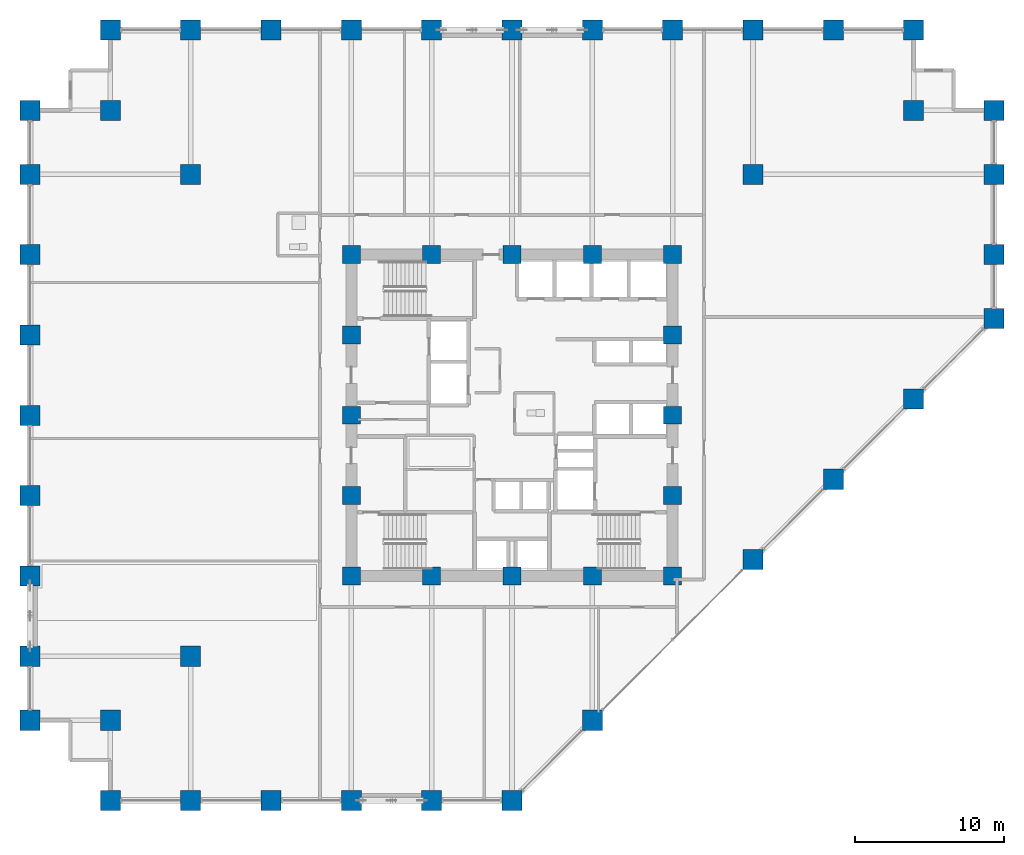
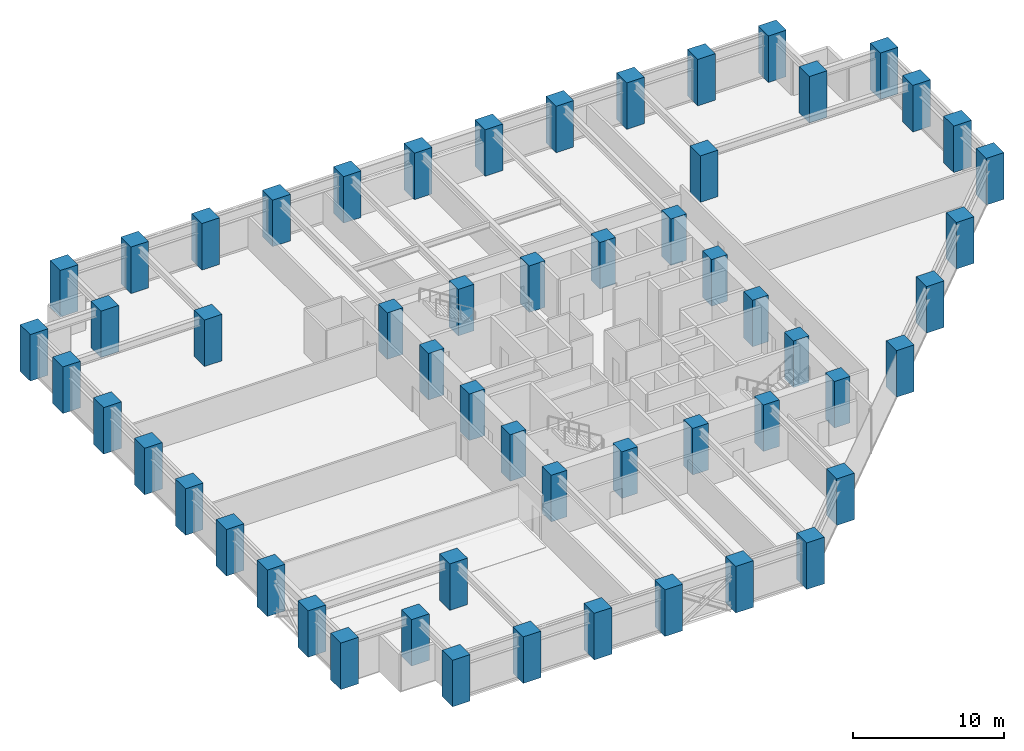
# One storey, part 1 of 25: 56 columns.
"""IFC4 building model written with IfcOpenShell, lengths in metres."""

from ifc_helpers import new_model, si_unit, direction, frame, origin, origin_2d, place, context, subcontext, project, spatial, rectangle, extrude, material, material_profile, profile_set, type_object, element, save


model = new_model("IFC4")

# Units and contexts
model_context = context("Model", 3, precision=1e-05, world=origin(), true_north=direction((0.0, 1.0)))
body_context = subcontext(model_context, "Body", "Model", "MODEL_VIEW")
ifc_project = project(units=[si_unit("LENGTHUNIT", "METRE"), si_unit("AREAUNIT", "SQUARE_METRE"), si_unit("VOLUMEUNIT", "CUBIC_METRE"), si_unit("PLANEANGLEUNIT", "RADIAN"), si_unit("MASSUNIT", "GRAM", prefix="KILO")], contexts=[model_context])

# Site, building, storey
site_placement = place(None, origin())
site = spatial("IfcSite", under=ifc_project, at=site_placement, CompositionType="ELEMENT")
building_placement = place(site_placement, origin())
building = spatial("IfcBuilding", under=site, at=building_placement, Name="Surkhivell Harbour Commons", CompositionType="ELEMENT")
storey_placement = place(building_placement, frame((0.0, 0.0, 45.0)))
storey = spatial("IfcBuildingStorey", under=building, at=storey_placement, Name="L11", CompositionType="ELEMENT", Elevation=45.0)

# Columns
ifc_material = material(Name="Concrete C80/95", Category="concrete")
ifc_material_profile_1 = material_profile(ifc_material, rectangle(XDim=1.35009765625, YDim=1.35009765625, at=origin_2d()), Name="RC-COL-1350x1350")
ifc_profile_set_1 = profile_set([ifc_material_profile_1], Name="Concrete C80/95")
column_type_1 = type_object("IfcColumnType", Name="COL-TUBE-Z1A", PredefinedType="COLUMN", material=ifc_profile_set_1)
for number, where, z_axis, x_axis, name in (
    (1, (-32.39990234375, -20.5, 0.0), (0.0, 0.0, 1.0), (1.0, 0.0, 0.0), "L11 Column CT-1A (-32.4,-20.5)"),
    (2, (-32.39990234375, -16.199951171875, 0.0), (0.0, 0.0, 1.0), (1.0, 0.0, 0.0), "L11 Column CT-1A (-32.4,-16.2)"),
    (3, (-32.39990234375, -10.800048828125, 0.0), (0.0, 0.0, 1.0), (1.0, 0.0, 0.0), "L11 Column CT-1A (-32.4,-10.8)"),
    (4, (-32.39990234375, -5.39990234375, 0.0), (0.0, 0.0, 1.0), (1.0, 0.0, 0.0), "L11 Column CT-1A (-32.4,-5.4)"),
    (5, (-32.39990234375, 0.0, 0.0), (0.0, 0.0, 1.0), (1.0, 0.0, 0.0), "L11 Column CT-1A (-32.4,0.0)"),
    (6, (-32.39990234375, 5.39990234375, 0.0), (0.0, 0.0, 1.0), (1.0, 0.0, 0.0), "L11 Column CT-1A (-32.4,5.4)"),
    (7, (-32.39990234375, 10.800048828125, 0.0), (0.0, 0.0, 1.0), (1.0, 0.0, 0.0), "L11 Column CT-1A (-32.4,10.8)"),
    (8, (-32.39990234375, 16.199951171875, 0.0), (0.0, 0.0, 1.0), (1.0, 0.0, 0.0), "L11 Column CT-1A (-32.4,16.2)"),
    (9, (-32.39990234375, 20.5, 0.0), (0.0, 0.0, 1.0), (1.0, 0.0, 0.0), "L11 Column CT-1A (-32.4,20.5)"),
    (10, (-27.0, -25.89990234375, 0.0), (0.0, 0.0, 1.0), (1.0, 0.0, 0.0), "L11 Column CT-1A (-27.0,-25.9)"),
    (11, (-27.0, -20.5, 0.0), (0.0, 0.0, 1.0), (1.0, 0.0, 0.0), "L11 Column CT-1A (-27.0,-20.5)"),
    (12, (-27.0, 20.5, 0.0), (0.0, 0.0, 1.0), (1.0, 0.0, 0.0), "L11 Column CT-1A (-27.0,20.5)"),
    (13, (-27.0, 25.89990234375, 0.0), (0.0, 0.0, 1.0), (1.0, 0.0, 0.0), "L11 Column CT-1A (-27.0,25.9)"),
    (14, (-21.60009765625, -25.89990234375, 0.0), (0.0, 0.0, 1.0), (1.0, 0.0, 0.0), "L11 Column CT-1A (-21.6,-25.9)"),
    (15, (-21.60009765625, -16.199951171875, 0.0), (0.0, 0.0, 1.0), (1.0, 0.0, 0.0), "L11 Column CT-1A (-21.6,-16.2)"),
    (16, (-21.60009765625, 16.199951171875, 0.0), (0.0, 0.0, 1.0), (1.0, 0.0, 0.0), "L11 Column CT-1A (-21.6,16.2)"),
    (17, (-21.60009765625, 25.89990234375, 0.0), (0.0, 0.0, 1.0), (1.0, 0.0, 0.0), "L11 Column CT-1A (-21.6,25.9)"),
    (18, (-16.199951171875, -25.89990234375, 0.0), (0.0, 0.0, 1.0), (1.0, 0.0, 0.0), "L11 Column CT-1A (-16.2,-25.9)"),
    (19, (-16.199951171875, 25.89990234375, 0.0), (0.0, 0.0, 1.0), (1.0, 0.0, 0.0), "L11 Column CT-1A (-16.2,25.9)"),
    (20, (-10.800048828125, -25.89990234375, 0.0), (0.0, 0.0, 1.0), (1.0, 0.0, 0.0), "L11 Column CT-1A (-10.8,-25.9)"),
    (21, (-10.800048828125, 25.89990234375, 0.0), (0.0, 0.0, 1.0), (1.0, 0.0, 0.0), "L11 Column CT-1A (-10.8,25.9)"),
    (22, (-5.39990234375, -25.89990234375, 0.0), (0.0, 0.0, 1.0), (1.0, 0.0, 0.0), "L11 Column CT-1A (-5.4,-25.9)"),
    (23, (-5.39990234375, 25.89990234375, 0.0), (0.0, 0.0, 1.0), (1.0, 0.0, 0.0), "L11 Column CT-1A (-5.4,25.9)"),
    (24, (0.0, -25.89990234375, 0.0), (0.0, 0.0, 1.0), (1.0, 0.0, 0.0), "L11 Column CT-1A (-0.0,-25.9)"),
    (25, (0.0, 25.89990234375, 0.0), (0.0, 0.0, 1.0), (1.0, 0.0, 0.0), "L11 Column CT-1A (-0.0,25.9)"),
    (26, (5.39990234375, -20.5, 0.0), (0.0, 0.0, 1.0), (1.0, 0.0, 0.0), "L11 Column CT-1A (5.4,-20.5)"),
    (27, (5.39990234375, 25.89990234375, 0.0), (0.0, 0.0, 1.0), (1.0, 0.0, 0.0), "L11 Column CT-1A (5.4,25.9)"),
    (28, (10.800048828125, 25.89990234375, 0.0), (0.0, 0.0, 1.0), (1.0, 0.0, 0.0), "L11 Column CT-1A (10.8,25.9)"),
    (29, (16.199951171875, -9.699951171875, 0.0), (0.0, 0.0, 1.0), (1.0, 0.0, 0.0), "L11 Column CT-1A (16.2,-9.7)"),
    (30, (16.199951171875, 16.199951171875, 0.0), (0.0, 0.0, 1.0), (1.0, 0.0, 0.0), "L11 Column CT-1A (16.2,16.2)"),
    (31, (16.199951171875, 25.89990234375, 0.0), (0.0, 0.0, 1.0), (1.0, 0.0, 0.0), "L11 Column CT-1A (16.2,25.9)"),
    (32, (21.60009765625, -4.300048828125, 0.0), (0.0, 0.0, 1.0), (1.0, 0.0, 0.0), "L11 Column CT-1A (21.6,-4.3)"),
    (33, (21.60009765625, 25.89990234375, 0.0), (0.0, 0.0, 1.0), (1.0, 0.0, 0.0), "L11 Column CT-1A (21.6,25.9)"),
    (34, (27.0, 1.10009765625, 0.0), (0.0, 0.0, 1.0), (1.0, 0.0, 0.0), "L11 Column CT-1A (27.0,1.1)"),
    (35, (27.0, 20.5, 0.0), (0.0, 0.0, 1.0), (1.0, 0.0, 0.0), "L11 Column CT-1A (27.0,20.5)"),
    (36, (27.0, 25.89990234375, 0.0), (0.0, 0.0, 1.0), (1.0, 0.0, 0.0), "L11 Column CT-1A (27.0,25.9)"),
    (37, (32.39990234375, 6.5, 0.0), (0.0, 0.0, 1.0), (1.0, 0.0, 0.0), "L11 Column CT-1A (32.4,6.5)"),
    (38, (32.39990234375, 10.800048828125, 0.0), (0.0, 0.0, 1.0), (1.0, 0.0, 0.0), "L11 Column CT-1A (32.4,10.8)"),
    (39, (32.39990234375, 16.199951171875, 0.0), (0.0, 0.0, 1.0), (1.0, 0.0, 0.0), "L11 Column CT-1A (32.4,16.2)"),
    (40, (32.39990234375, 20.5, 0.0), (0.0, 0.0, 1.0), (1.0, 0.0, 0.0), "L11 Column CT-1A (32.4,20.5)"),
):
    element("IfcColumn", number, at=place(storey_placement, frame(where, z_axis=z_axis, x_axis=x_axis)), inside=storey, type_object=column_type_1, Name=name, PredefinedType="COLUMN", context=body_context, shape_type="SweptSolid", body=[
        extrude(rectangle(XDim=1.35009765625, YDim=1.35009765625, at=origin_2d()), origin(), (0.0, 0.0, 1.0), 3.75),
    ])
ifc_material_profile_2 = material_profile(ifc_material, rectangle(XDim=1.199951171875, YDim=1.199951171875, at=origin_2d()), Name="RC-COL-1200x1200")
ifc_profile_set_2 = profile_set([ifc_material_profile_2], Name="Concrete C80/95")
column_type_2 = type_object("IfcColumnType", Name="COL-TUBE-Z1B", PredefinedType="COLUMN", material=ifc_profile_set_2)
for number, where, z_axis, x_axis, name in (
    (41, (-10.800048828125, -10.800048828125, 0.0), (0.0, 0.0, 1.0), (1.0, 0.0, 0.0), "L11 Column CT-1B (-10.8,-10.8)"),
    (42, (-10.800048828125, -5.39990234375, 0.0), (0.0, 0.0, 1.0), (1.0, 0.0, 0.0), "L11 Column CT-1B (-10.8,-5.4)"),
    (43, (-10.800048828125, 0.0, 0.0), (0.0, 0.0, 1.0), (1.0, 0.0, 0.0), "L11 Column CT-1B (-10.8,0.0)"),
    (44, (-10.800048828125, 5.39990234375, 0.0), (0.0, 0.0, 1.0), (1.0, 0.0, 0.0), "L11 Column CT-1B (-10.8,5.4)"),
    (45, (-10.800048828125, 10.800048828125, 0.0), (0.0, 0.0, 1.0), (1.0, 0.0, 0.0), "L11 Column CT-1B (-10.8,10.8)"),
    (46, (-5.39990234375, -10.800048828125, 0.0), (0.0, 0.0, 1.0), (1.0, 0.0, 0.0), "L11 Column CT-1B (-5.4,-10.8)"),
    (47, (-5.39990234375, 10.800048828125, 0.0), (0.0, 0.0, 1.0), (1.0, 0.0, 0.0), "L11 Column CT-1B (-5.4,10.8)"),
    (48, (0.0, -10.800048828125, 0.0), (0.0, 0.0, 1.0), (1.0, 0.0, 0.0), "L11 Column CT-1B (0.0,-10.8)"),
    (49, (0.0, 10.800048828125, 0.0), (0.0, 0.0, 1.0), (1.0, 0.0, 0.0), "L11 Column CT-1B (0.0,10.8)"),
    (50, (5.39990234375, -10.800048828125, 0.0), (0.0, 0.0, 1.0), (1.0, 0.0, 0.0), "L11 Column CT-1B (5.4,-10.8)"),
    (51, (5.39990234375, 10.800048828125, 0.0), (0.0, 0.0, 1.0), (1.0, 0.0, 0.0), "L11 Column CT-1B (5.4,10.8)"),
    (52, (10.800048828125, -10.800048828125, 0.0), (0.0, 0.0, 1.0), (1.0, 0.0, 0.0), "L11 Column CT-1B (10.8,-10.8)"),
    (53, (10.800048828125, -5.39990234375, 0.0), (0.0, 0.0, 1.0), (1.0, 0.0, 0.0), "L11 Column CT-1B (10.8,-5.4)"),
    (54, (10.800048828125, 0.0, 0.0), (0.0, 0.0, 1.0), (1.0, 0.0, 0.0), "L11 Column CT-1B (10.8,0.0)"),
    (55, (10.800048828125, 5.39990234375, 0.0), (0.0, 0.0, 1.0), (1.0, 0.0, 0.0), "L11 Column CT-1B (10.8,5.4)"),
    (56, (10.800048828125, 10.800048828125, 0.0), (0.0, 0.0, 1.0), (1.0, 0.0, 0.0), "L11 Column CT-1B (10.8,10.8)"),
):
    element("IfcColumn", number, at=place(storey_placement, frame(where, z_axis=z_axis, x_axis=x_axis)), inside=storey, type_object=column_type_2, Name=name, PredefinedType="COLUMN", context=body_context, shape_type="SweptSolid", body=[
        extrude(rectangle(XDim=1.199951171875, YDim=1.199951171875, at=origin_2d()), origin(), (0.0, 0.0, 1.0), 3.75),
    ])

save(model, "model.ifc")
